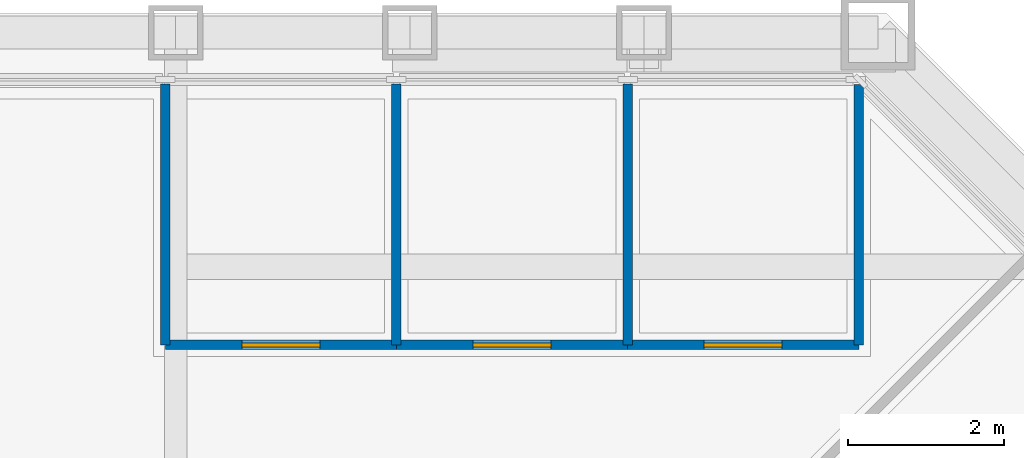
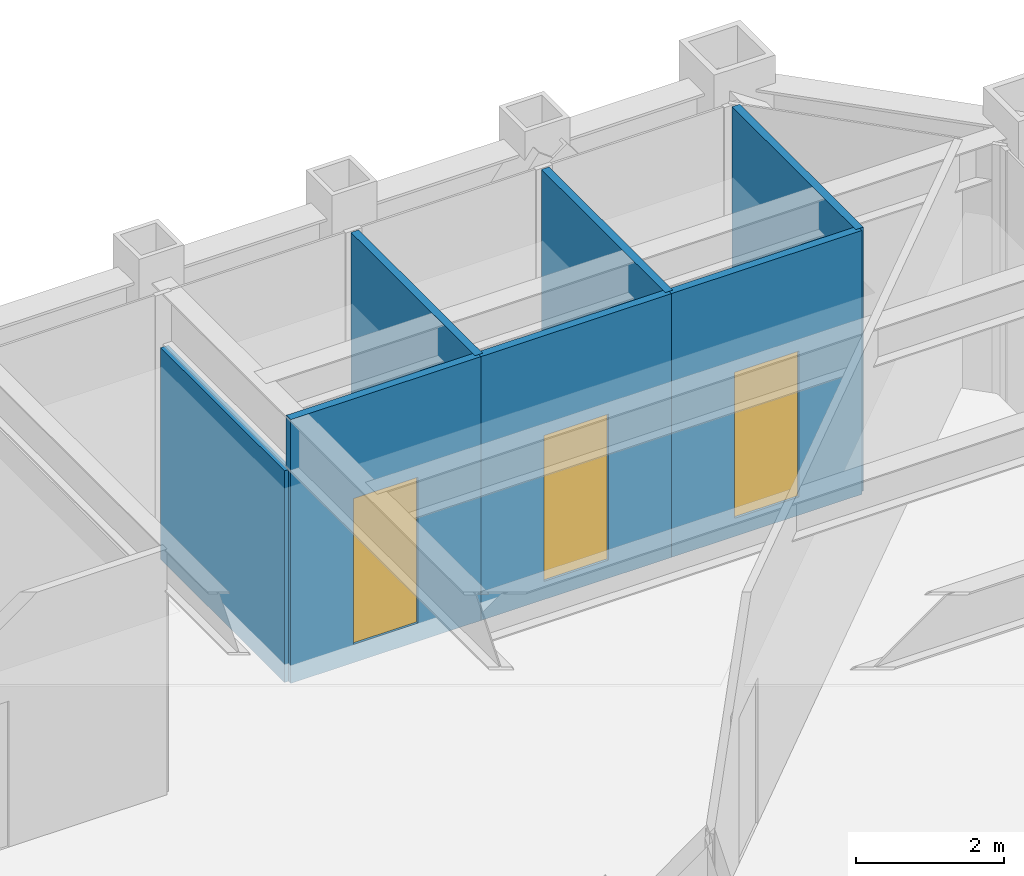
# One storey, part 11 of 17: 7 walls, 3 doors, 3 openings.
"""IFC4 building model written with IfcOpenShell, lengths in metres."""

from ifc_helpers import new_model, si_unit, direction, frame, frame_2d, origin, place, context, subcontext, project, spatial, rectangle, extrude, material, layer, layer_set, type_object, element, fill, save


model = new_model("IFC4")

# Units and contexts
model_context = context("Model", 3, precision=1e-05, world=origin(), true_north=direction((0.0, 1.0)))
body_context = subcontext(model_context, "Body", "Model", "MODEL_VIEW")
ifc_project = project(units=[si_unit("LENGTHUNIT", "METRE"), si_unit("AREAUNIT", "SQUARE_METRE"), si_unit("VOLUMEUNIT", "CUBIC_METRE"), si_unit("PLANEANGLEUNIT", "RADIAN"), si_unit("MASSUNIT", "GRAM", prefix="KILO")], contexts=[model_context])

# Site, building, storey
site_placement = place(None, origin())
site = spatial("IfcSite", under=ifc_project, at=site_placement, CompositionType="ELEMENT")
building_placement = place(site_placement, origin())
building = spatial("IfcBuilding", under=site, at=building_placement, Name="Chuquiago Exchange Tower", CompositionType="ELEMENT")
storey_placement = place(building_placement, frame((0.0, 0.0, 64.800048828125)))
storey = spatial("IfcBuildingStorey", under=building, at=storey_placement, Name="L13", CompositionType="ELEMENT", Elevation=64.800048828125)

# Walls
ifc_material_1 = material(Name="Gypsum board on steel studs", Category="steel")
ifc_layer = layer(ifc_material_1, 0.1201171875)
ifc_layer_set = layer_set([ifc_layer], Name="W4 partition 120")
wall_type = type_object("IfcWallType", Name="W4 partition 120", PredefinedType="PARTITIONING", material=ifc_layer_set)
wall_1_placement = place(storey_placement, frame((32.8662109375, 44.342529296875, -0.300048828125), z_axis=(0.0, 0.0, 1.0), x_axis=(0.0, -1.0, 0.0)))
element("IfcWall", 1, at=wall_1_placement, inside=storey, type_object=wall_type, Name="PW-L13-N03287", PredefinedType="PARTITIONING", context=body_context, shape_type="SweptSolid", body=[
    extrude(rectangle(XDim=3.342529296875, YDim=0.1201171875, at=frame_2d((1.67138671875, 0.0))), origin(), (0.0, 0.0, 1.0), 3.4814453125),
])
for number, where, z_axis, x_axis, name in (
    (2, (35.827880859375, 44.342529296875, -0.300048828125), (0.0, 0.0, 1.0), (0.0, -1.0, 0.0), "PW-L13-N03583"),
    (3, (38.789794921875, 44.342529296875, -0.300048828125), (0.0, 0.0, 1.0), (0.0, -1.0, 0.0), "PW-L13-N03879"),
):
    element("IfcWall", number, at=place(storey_placement, frame(where, z_axis=z_axis, x_axis=x_axis)), inside=storey, type_object=wall_type, Name=name, PredefinedType="PARTITIONING", context=body_context, shape_type="SweptSolid", body=[
        extrude(rectangle(XDim=3.342529296875, YDim=0.1201171875, at=frame_2d((1.67138671875, 0.0))), origin(), (0.0, 0.0, 1.0), 4.340087890625),
    ])
wall_2_placement = place(storey_placement, frame((41.75146484375, 44.333984375, -0.300048828125), z_axis=(0.0, 0.0, 1.0), x_axis=(0.0, -1.0, 0.0)))
element("IfcWall", 4, at=wall_2_placement, inside=storey, type_object=wall_type, Name="PW-L13-N04175", PredefinedType="PARTITIONING", context=body_context, shape_type="SweptSolid", body=[
    extrude(rectangle(XDim=3.333984375, YDim=0.1201171875, at=frame_2d((1.6669921875, 0.0))), origin(), (0.0, 0.0, 1.0), 4.340087890625),
])

# Wall, opening, door
wall_3_placement = place(storey_placement, frame((32.8662109375, 41.0, -0.300048828125), z_axis=(0.0, 0.0, 1.0), x_axis=(1.0, 0.0, 0.0)))
wall_3 = element("IfcWall", 5, at=wall_3_placement, inside=storey, type_object=wall_type, Name="PW-L13-NF03287", PredefinedType="PARTITIONING", context=body_context, shape_type="SweptSolid", body=[
    extrude(rectangle(XDim=2.961669921875, YDim=0.1201171875, at=frame_2d((1.48095703125, 0.0))), origin(), (0.0, 0.0, 1.0), 4.340087890625),
])
opening_1_placement = place(wall_3_placement, frame((0.98095703125, 0.0, 0.300048828125)))
opening_1 = element("IfcOpeningElement", 6, at=opening_1_placement, cuts=wall_3, Name="Opening L13-034", PredefinedType="OPENING", context=body_context, shape_type="SweptSolid", body=[
    extrude(rectangle(XDim=1.0, YDim=2.39990234375, at=frame_2d((0.5, 1.199951171875))), frame((0.0, 0.070068359375, 0.0), z_axis=(0.0, -1.0, 0.0), x_axis=(1.0, 0.0, 0.0)), (0.0, 0.0, 1.0), 0.14013671875),
])
ifc_material_2 = material(Name="Timber frame door, full height glazed panel", Category="wood")
door_type = type_object("IfcDoorType", Name="D14 glazed meeting room door 1000x2400", OperationType="SINGLE_SWING_LEFT", PredefinedType="DOOR", material=ifc_material_2)
door_1_placement = place(opening_1_placement, origin())
door_1 = element("IfcDoor", 7, at=door_1_placement, inside=storey, type_object=door_type, Name="Focus room door", OperationType="SINGLE_SWING_RIGHT", OverallHeight=2.39990234375, OverallWidth=1.0, PredefinedType="DOOR", context=body_context, shape_type="SweptSolid", body=[
    extrude(rectangle(XDim=1.0, YDim=2.39990234375, at=frame_2d((0.5, 1.199951171875))), frame((0.0, 0.02490234375, 0.0), z_axis=(0.0, -1.0, 0.0), x_axis=(1.0, 0.0, 0.0)), (0.0, 0.0, 1.0), 0.050048828125),
])
fill(opening_1, door_1)

wall_4_placement = place(storey_placement, frame((35.827880859375, 41.0, -0.300048828125), z_axis=(0.0, 0.0, 1.0), x_axis=(1.0, 0.0, 0.0)))
wall_4 = element("IfcWall", 8, at=wall_4_placement, inside=storey, type_object=wall_type, Name="PW-L13-NF03583", PredefinedType="PARTITIONING", context=body_context, shape_type="SweptSolid", body=[
    extrude(rectangle(XDim=2.9619140625, YDim=0.1201171875, at=frame_2d((1.48095703125, 0.0))), origin(), (0.0, 0.0, 1.0), 4.340087890625),
])
opening_2_placement = place(wall_4_placement, frame((0.98095703125, 0.0, 0.300048828125)))
opening_2 = element("IfcOpeningElement", 9, at=opening_2_placement, cuts=wall_4, Name="Opening L13-035", PredefinedType="OPENING", context=body_context, shape_type="SweptSolid", body=[
    extrude(rectangle(XDim=1.0, YDim=2.39990234375, at=frame_2d((0.5, 1.199951171875))), frame((0.0, 0.070068359375, 0.0), z_axis=(0.0, -1.0, 0.0), x_axis=(1.0, 0.0, 0.0)), (0.0, 0.0, 1.0), 0.14013671875),
])
door_2_placement = place(opening_2_placement, origin())
door_2 = element("IfcDoor", 10, at=door_2_placement, inside=storey, type_object=door_type, Name="Focus room door", OperationType="SINGLE_SWING_LEFT", OverallHeight=2.39990234375, OverallWidth=1.0, PredefinedType="DOOR", context=body_context, shape_type="SweptSolid", body=[
    extrude(rectangle(XDim=1.0, YDim=2.39990234375, at=frame_2d((0.5, 1.199951171875))), frame((0.0, 0.02490234375, 0.0), z_axis=(0.0, -1.0, 0.0), x_axis=(1.0, 0.0, 0.0)), (0.0, 0.0, 1.0), 0.050048828125),
])
fill(opening_2, door_2)

wall_5_placement = place(storey_placement, frame((38.789794921875, 41.0, -0.300048828125), z_axis=(0.0, 0.0, 1.0), x_axis=(1.0, 0.0, 0.0)))
wall_5 = element("IfcWall", 11, at=wall_5_placement, inside=storey, type_object=wall_type, Name="PW-L13-NF03879", PredefinedType="PARTITIONING", context=body_context, shape_type="SweptSolid", body=[
    extrude(rectangle(XDim=2.961669921875, YDim=0.1201171875, at=frame_2d((1.48095703125, 0.0))), origin(), (0.0, 0.0, 1.0), 4.340087890625),
])
opening_3_placement = place(wall_5_placement, frame((0.98095703125, 0.0, 0.300048828125)))
opening_3 = element("IfcOpeningElement", 12, at=opening_3_placement, cuts=wall_5, Name="Opening L13-036", PredefinedType="OPENING", context=body_context, shape_type="SweptSolid", body=[
    extrude(rectangle(XDim=1.0, YDim=2.39990234375, at=frame_2d((0.5, 1.199951171875))), frame((0.0, 0.070068359375, 0.0), z_axis=(0.0, -1.0, 0.0), x_axis=(1.0, 0.0, 0.0)), (0.0, 0.0, 1.0), 0.14013671875),
])
door_3_placement = place(opening_3_placement, origin())
door_3 = element("IfcDoor", 13, at=door_3_placement, inside=storey, type_object=door_type, Name="Focus room door", OperationType="SINGLE_SWING_RIGHT", OverallHeight=2.39990234375, OverallWidth=1.0, PredefinedType="DOOR", context=body_context, shape_type="SweptSolid", body=[
    extrude(rectangle(XDim=1.0, YDim=2.39990234375, at=frame_2d((0.5, 1.199951171875))), frame((0.0, 0.02490234375, 0.0), z_axis=(0.0, -1.0, 0.0), x_axis=(1.0, 0.0, 0.0)), (0.0, 0.0, 1.0), 0.050048828125),
])
fill(opening_3, door_3)

save(model, "model.ifc")
